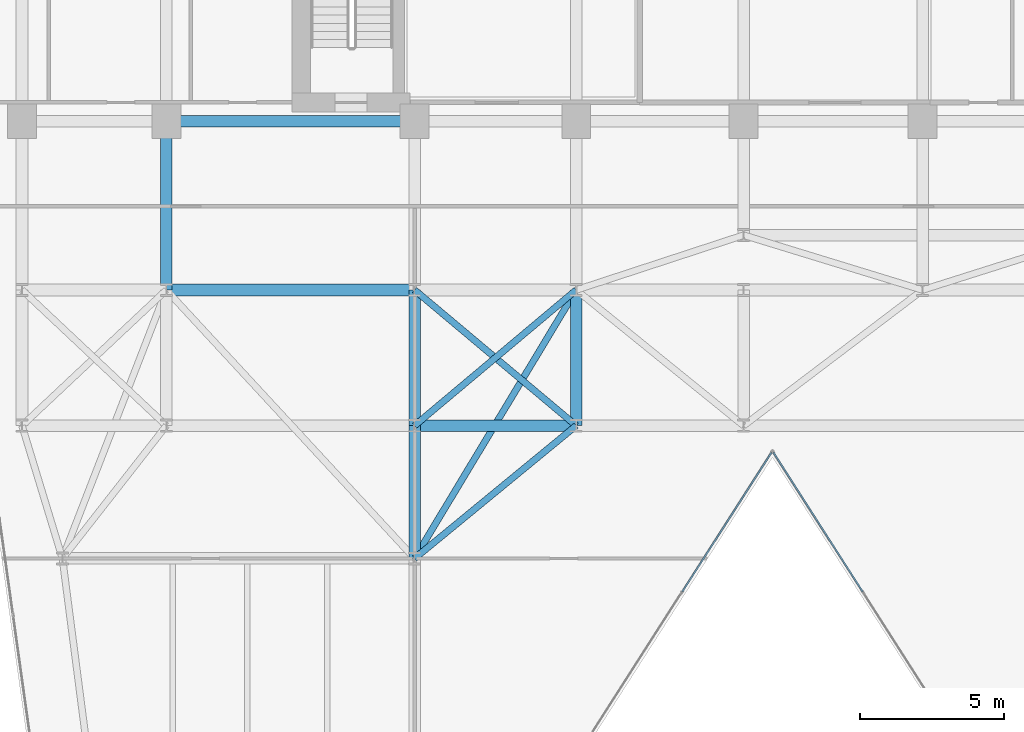
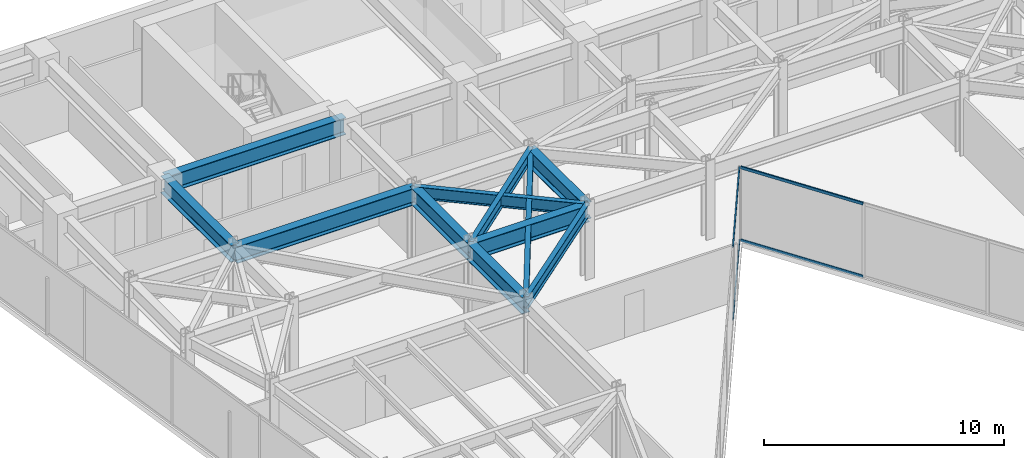
# One storey, part 12 of 26: 11 beams, 4 members, 2 elements without a shape of their own.
"""IFC4 building model written with IfcOpenShell, lengths in metres."""

from ifc_helpers import new_model, si_unit, direction, frame, origin, origin_2d, place, context, subcontext, project, spatial, hollow_rectangle, i_section, extrude, material, layer, layer_set, material_profile, profile_set, type_object, element, aggregate, save


model = new_model("IFC4")

# Units and contexts
model_context = context("Model", 3, precision=1e-05, world=origin(), true_north=direction((0.0, 1.0)))
body_context = subcontext(model_context, "Body", "Model", "MODEL_VIEW")
ifc_project = project(units=[si_unit("LENGTHUNIT", "METRE"), si_unit("AREAUNIT", "SQUARE_METRE"), si_unit("VOLUMEUNIT", "CUBIC_METRE"), si_unit("PLANEANGLEUNIT", "RADIAN"), si_unit("MASSUNIT", "GRAM", prefix="KILO")], contexts=[model_context])

# Site, building, storey
site_placement = place(None, origin())
site = spatial("IfcSite", under=ifc_project, at=site_placement, CompositionType="ELEMENT")
building_placement = place(site_placement, origin())
building = spatial("IfcBuilding", under=site, at=building_placement, Name="Kravanh Interchange Tower", CompositionType="ELEMENT")
storey_placement = place(building_placement, frame((0.0, 0.0, 144.0)))
storey = spatial("IfcBuildingStorey", under=building, at=storey_placement, Name="L34", CompositionType="ELEMENT", Elevation=144.0)

# Curtain wall, members
ifc_material_1 = material(Name="Anodised Bronze Aluminium", Category="aluminium")
ifc_layer = layer(ifc_material_1, 0.179931640625)
ifc_layer_set = layer_set([ifc_layer], Name="Unitised Curtain Wall System CW-Z2 Mid Office")
curtain_wall_type = type_object("IfcCurtainWallType", Name="Unitised Curtain Wall System CW-Z2 Mid Office", PredefinedType="NOTDEFINED", material=ifc_layer_set)
curtain_wall_1_placement = place(storey_placement, origin())
curtain_wall_1 = element("IfcCurtainWall", 1, at=curtain_wall_1_placement, inside=storey, type_object=curtain_wall_type, Name="L34 Unitised Curtain Wall CW-L34-04", PredefinedType="NOTDEFINED")
ifc_material_2 = material(Name="Anodised Bronze Aluminium", Category="aluminium")
ifc_material_profile_1 = material_profile(ifc_material_2, hollow_rectangle(XDim=0.06005859375, YDim=0.139892578125, WallThickness=0.00390625, at=origin_2d()), Name="ALU60X140X4")
ifc_profile_set_1 = profile_set([ifc_material_profile_1], Name="Anodised Bronze Aluminium")
member_type = type_object("IfcMemberType", Name="Curtain Wall Transom ALU60X140X4 Bronze", PredefinedType="USERDEFINED", material=ifc_profile_set_1)
member_1_placement = place(storey_placement, frame((42.72509765625, 21.047119140625, 0.030029296875), z_axis=(-0.53966766312, 0.841878146398, 0.0), x_axis=(-0.841878146398, -0.53966766312, 0.0)))
member_1 = element("IfcMember", 2, at=member_1_placement, type_object=member_type, Name="CW-Z2 transom 4.1", ObjectType="TRANSOM", PredefinedType="USERDEFINED", context=body_context, shape_type="SweptSolid", body=[
    extrude(hollow_rectangle(XDim=0.06005859375, YDim=0.139892578125, WallThickness=0.00390625, at=origin_2d()), origin(), (0.0, 0.0, 1.0), 5.73095703125),
])
member_2_placement = place(storey_placement, frame((42.72509765625, 21.047119140625, 3.719970703125), z_axis=(-0.53966766312, 0.841878146398, 0.0), x_axis=(-0.841878146398, -0.53966766312, 0.0)))
member_2 = element("IfcMember", 3, at=member_2_placement, type_object=member_type, Name="CW-Z2 transom 4.2", ObjectType="TRANSOM", PredefinedType="USERDEFINED", context=body_context, shape_type="SweptSolid", body=[
    extrude(hollow_rectangle(XDim=0.06005859375, YDim=0.139892578125, WallThickness=0.00390625, at=origin_2d()), origin(), (0.0, 0.0, 1.0), 5.73095703125),
])
aggregate(curtain_wall_1, [member_1, member_2])

curtain_wall_2_placement = place(storey_placement, origin())
curtain_wall_2 = element("IfcCurtainWall", 4, at=curtain_wall_2_placement, inside=storey, type_object=curtain_wall_type, Name="L34 Unitised Curtain Wall CW-L34-05", PredefinedType="NOTDEFINED")
member_3_placement = place(storey_placement, frame((39.567626953125, 25.871826171875, 0.030029296875), z_axis=(-0.53966766312, -0.841878146398, 0.0), x_axis=(0.841878146398, -0.53966766312, 0.0)))
member_3 = element("IfcMember", 5, at=member_3_placement, type_object=member_type, Name="CW-Z2 transom 1.1", ObjectType="TRANSOM", PredefinedType="USERDEFINED", context=body_context, shape_type="SweptSolid", body=[
    extrude(hollow_rectangle(XDim=0.06005859375, YDim=0.139892578125, WallThickness=0.00390625, at=origin_2d()), origin(), (0.0, 0.0, 1.0), 5.73095703125),
])
member_4_placement = place(storey_placement, frame((39.567626953125, 25.871826171875, 3.719970703125), z_axis=(-0.53966766312, -0.841878146398, 0.0), x_axis=(0.841878146398, -0.53966766312, 0.0)))
member_4 = element("IfcMember", 6, at=member_4_placement, type_object=member_type, Name="CW-Z2 transom 1.2", ObjectType="TRANSOM", PredefinedType="USERDEFINED", context=body_context, shape_type="SweptSolid", body=[
    extrude(hollow_rectangle(XDim=0.06005859375, YDim=0.139892578125, WallThickness=0.00390625, at=origin_2d()), origin(), (0.0, 0.0, 1.0), 5.73095703125),
])
aggregate(curtain_wall_2, [member_3, member_4])

# Beams
ifc_material_3 = material(Name="Structural Steel S355", Category="steel")
ifc_material_profile_2 = material_profile(ifc_material_3, i_section(OverallWidth=0.39990234375, OverallDepth=0.85595703125, WebThickness=0.018310546875, FlangeThickness=0.029296875, FilletRadius=0.02490234375, at=origin_2d()), Name="W33X201")
ifc_profile_set_2 = profile_set([ifc_material_profile_2], Name="Structural Steel S355")
beam_type_1 = type_object("IfcBeamType", Name="Floor Beam W33X201 Structural Steel S355", PredefinedType="BEAM", material=ifc_profile_set_2)
beam_1_placement = place(storey_placement, frame((27.199951171875, 37.35009765625, 3.322021484375), z_axis=(-1.0, 0.0, 0.0), x_axis=(0.0, -1.0, 0.0)))
element("IfcBeam", 7, at=beam_1_placement, inside=storey, type_object=beam_type_1, Name="L34 Primary Floor Girder 25", PredefinedType="BEAM", context=body_context, shape_type="SweptSolid", body=[
    extrude(i_section(OverallWidth=0.39990234375, OverallDepth=0.85595703125, WebThickness=0.018310546875, FlangeThickness=0.029296875, FilletRadius=0.02490234375, at=origin_2d()), origin(), (0.0, 0.0, 1.0), 8.599853515625),
])
beam_2_placement = place(storey_placement, frame((18.60009765625, 37.35009765625, 3.322021484375), z_axis=(0.0, -1.0, 0.0), x_axis=(1.0, 0.0, 0.0)))
element("IfcBeam", 8, at=beam_2_placement, inside=storey, type_object=beam_type_1, Name="L34 Primary Floor Girder 29", PredefinedType="BEAM", context=body_context, shape_type="SweptSolid", body=[
    extrude(i_section(OverallWidth=0.39990234375, OverallDepth=0.85595703125, WebThickness=0.018310546875, FlangeThickness=0.029296875, FilletRadius=0.02490234375, at=origin_2d()), origin(), (0.0, 0.0, 1.0), 5.85009765625),
])
beam_3_placement = place(storey_placement, frame((27.199951171875, 26.800048828125, 3.322021484375), z_axis=(0.0, -1.0, 0.0), x_axis=(1.0, 0.0, 0.0)))
element("IfcBeam", 9, at=beam_3_placement, inside=storey, type_object=beam_type_1, Name="L34 Primary Floor Girder 45", PredefinedType="BEAM", context=body_context, shape_type="SweptSolid", body=[
    extrude(i_section(OverallWidth=0.39990234375, OverallDepth=0.85595703125, WebThickness=0.018310546875, FlangeThickness=0.029296875, FilletRadius=0.02490234375, at=origin_2d()), origin(), (0.0, 0.0, 1.0), 4.60009765625),
])
beam_4_placement = place(storey_placement, frame((27.199951171875, 26.800048828125, 3.322021484375), z_axis=(0.0, 1.0, 0.0), x_axis=(-1.0, 0.0, 0.0)))
element("IfcBeam", 10, at=beam_4_placement, inside=storey, type_object=beam_type_1, Name="L34 Primary Floor Girder 46", PredefinedType="BEAM", context=body_context, shape_type="SweptSolid", body=[
    extrude(i_section(OverallWidth=0.39990234375, OverallDepth=0.85595703125, WebThickness=0.018310546875, FlangeThickness=0.029296875, FilletRadius=0.02490234375, at=origin_2d()), origin(), (0.0, 0.0, 1.0), 4.699951171875),
])
beam_5_placement = place(storey_placement, frame((27.199951171875, 26.800048828125, 3.322021484375), z_axis=(1.0, 0.0, 0.0), x_axis=(0.0, 1.0, 0.0)))
element("IfcBeam", 11, at=beam_5_placement, inside=storey, type_object=beam_type_1, Name="L34 Primary Floor Girder 47", PredefinedType="BEAM", context=body_context, shape_type="SweptSolid", body=[
    extrude(i_section(OverallWidth=0.39990234375, OverallDepth=0.85595703125, WebThickness=0.018310546875, FlangeThickness=0.029296875, FilletRadius=0.02490234375, at=origin_2d()), origin(), (0.0, 0.0, 1.0), 5.60009765625),
])
beam_6_placement = place(storey_placement, frame((32.800048828125, 26.800048828125, 3.322021484375), z_axis=(0.0, 1.0, 0.0), x_axis=(-1.0, 0.0, 0.0)))
element("IfcBeam", 12, at=beam_6_placement, inside=storey, type_object=beam_type_1, Name="L34 Primary Floor Girder 49", PredefinedType="BEAM", context=body_context, shape_type="SweptSolid", body=[
    extrude(i_section(OverallWidth=0.39990234375, OverallDepth=0.85595703125, WebThickness=0.018310546875, FlangeThickness=0.029296875, FilletRadius=0.02490234375, at=origin_2d()), origin(), (0.0, 0.0, 1.0), 4.699951171875),
])
beam_7_placement = place(storey_placement, frame((18.60009765625, 31.5, 3.322021484375), z_axis=(1.0, 0.0, 0.0), x_axis=(0.0, 1.0, 0.0)))
element("IfcBeam", 13, at=beam_7_placement, inside=storey, type_object=beam_type_1, Name="L34 Primary Floor Girder 71", PredefinedType="BEAM", context=body_context, shape_type="SweptSolid", body=[
    extrude(i_section(OverallWidth=0.39990234375, OverallDepth=0.85595703125, WebThickness=0.018310546875, FlangeThickness=0.029296875, FilletRadius=0.02490234375, at=origin_2d()), origin(), (0.0, 0.0, 1.0), 8.599853515625),
])
ifc_material_4 = material(Name="Structural Steel S355", Category="steel")
ifc_material_profile_3 = material_profile(ifc_material_4, i_section(OverallWidth=0.22802734375, OverallDepth=0.60791015625, WebThickness=0.01123046875, FlangeThickness=0.017333984375, FilletRadius=0.02197265625, at=origin_2d()), Name="W24X76")
ifc_profile_set_3 = profile_set([ifc_material_profile_3], Name="Structural Steel S355")
beam_type_2 = type_object("IfcBeamType", Name="Floor Spandrel W24X76 Structural Steel S355", PredefinedType="SPANDREL", material=ifc_profile_set_3)
beam_8_placement = place(storey_placement, frame((27.199951171875, 26.800048828125, 3.446044921875), z_axis=(0.765983062929, 0.642860752657, 0.0), x_axis=(-0.642860752657, 0.765983062929, 0.0)))
element("IfcBeam", 14, at=beam_8_placement, inside=storey, type_object=beam_type_2, Name="L34 Perimeter Spandrel 48", PredefinedType="SPANDREL", context=body_context, shape_type="SweptSolid", body=[
    extrude(i_section(OverallWidth=0.22802734375, OverallDepth=0.60791015625, WebThickness=0.01123046875, FlangeThickness=0.017333984375, FilletRadius=0.02197265625, at=origin_2d()), origin(), (0.0, 0.0, 1.0), 7.31103515625),
])
beam_9_placement = place(storey_placement, frame((32.800048828125, 26.800048828125, 3.446044921875), z_axis=(-0.772725074305, -0.634740860147, 0.0), x_axis=(0.634740860147, -0.772725074305, 0.0)))
element("IfcBeam", 15, at=beam_9_placement, inside=storey, type_object=beam_type_2, Name="L34 Perimeter Spandrel 51", PredefinedType="SPANDREL", context=body_context, shape_type="SweptSolid", body=[
    extrude(i_section(OverallWidth=0.22802734375, OverallDepth=0.60791015625, WebThickness=0.01123046875, FlangeThickness=0.017333984375, FilletRadius=0.02197265625, at=origin_2d()), origin(), (0.0, 0.0, 1.0), 7.247314453125),
])
beam_10_placement = place(storey_placement, frame((32.800048828125, 26.800048828125, 3.446044921875), z_axis=(-0.765983062929, 0.642860752657, 0.0), x_axis=(-0.642860752657, -0.765983062929, 0.0)))
element("IfcBeam", 16, at=beam_10_placement, inside=storey, type_object=beam_type_2, Name="L34 Perimeter Spandrel 52", PredefinedType="SPANDREL", context=body_context, shape_type="SweptSolid", body=[
    extrude(i_section(OverallWidth=0.22802734375, OverallDepth=0.60791015625, WebThickness=0.01123046875, FlangeThickness=0.017333984375, FilletRadius=0.02197265625, at=origin_2d()), origin(), (0.0, 0.0, 1.0), 7.31103515625),
])
beam_11_placement = place(storey_placement, frame((32.800048828125, 31.5, 3.446044921875), z_axis=(-0.515854375109, -0.856676288735, 0.0), x_axis=(0.856676288735, -0.515854375109, 0.0)))
element("IfcBeam", 17, at=beam_11_placement, inside=storey, type_object=beam_type_2, Name="L34 Perimeter Spandrel 80", PredefinedType="SPANDREL", context=body_context, shape_type="SweptSolid", body=[
    extrude(i_section(OverallWidth=0.22802734375, OverallDepth=0.60791015625, WebThickness=0.01123046875, FlangeThickness=0.017333984375, FilletRadius=0.02197265625, at=origin_2d()), origin(), (0.0, 0.0, 1.0), 10.85595703125),
])

save(model, "model.ifc")
